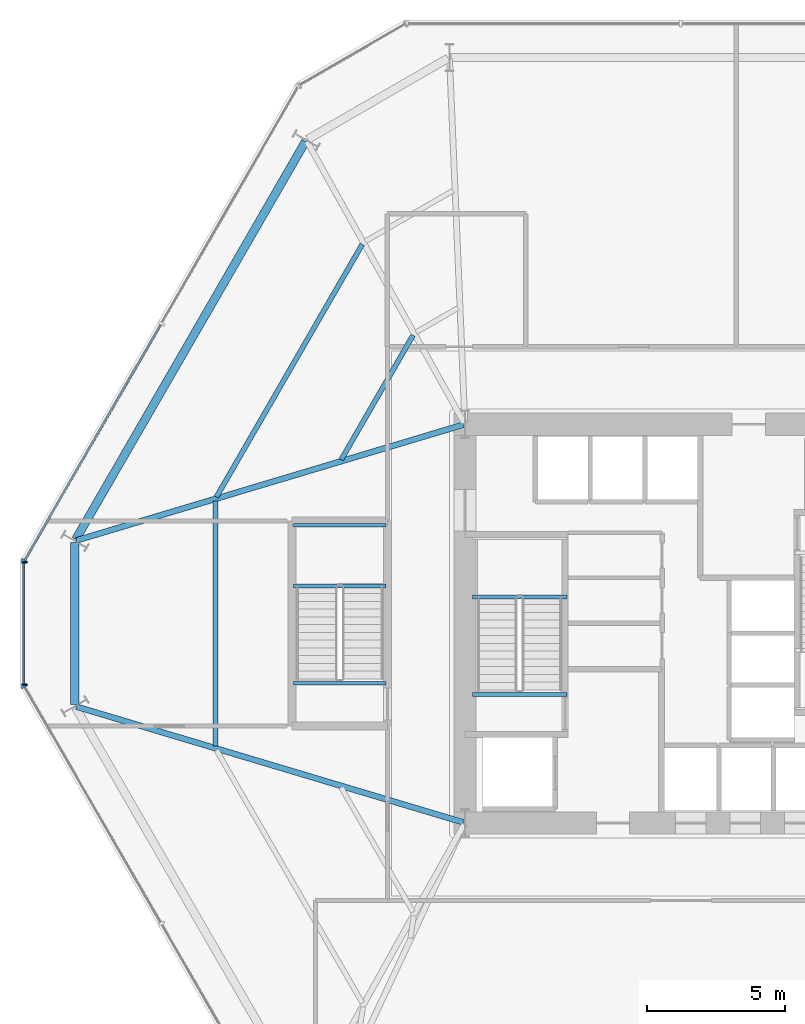
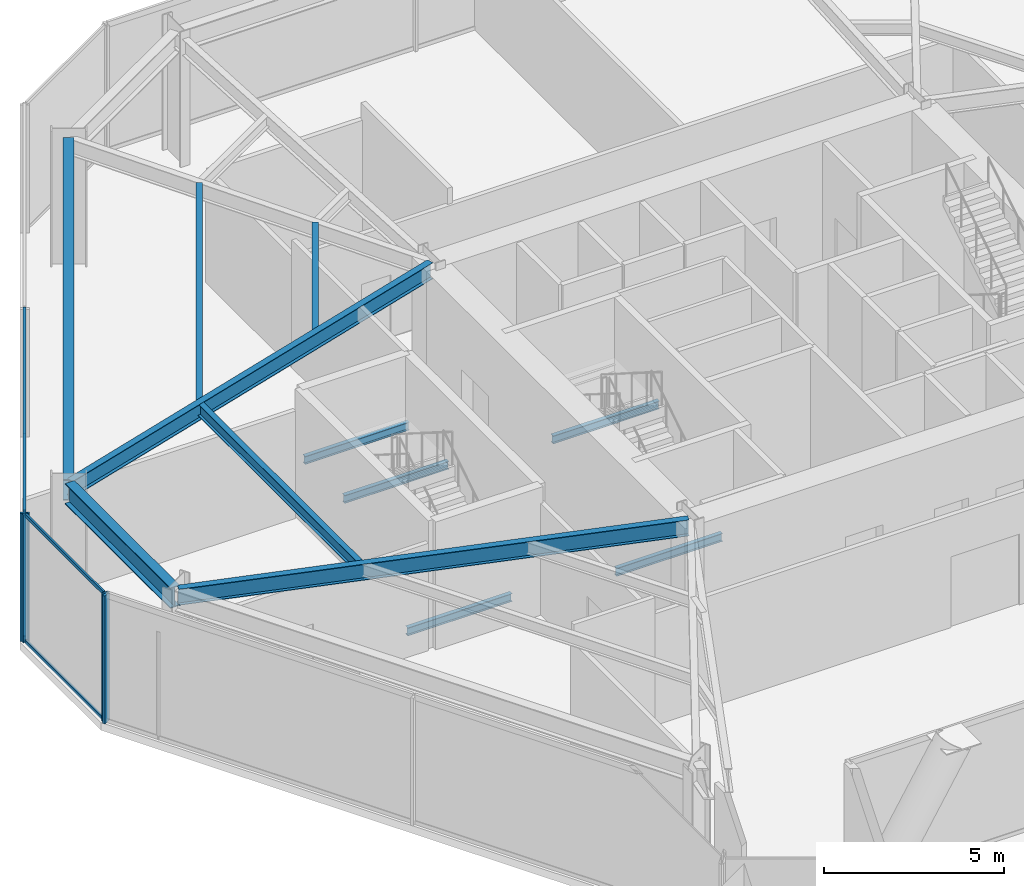
# One storey, part 7 of 23: 12 beams, 8 members, 3 elements without a shape of their own.
"""IFC4 building model written with IfcOpenShell, lengths in metres."""

from ifc_helpers import new_model, si_unit, direction, frame, origin, origin_2d, place, context, subcontext, project, spatial, rectangle, i_section, extrude, material, layer, layer_set, material_profile, profile_set, type_object, element, aggregate, save


model = new_model("IFC4")

# Units and contexts
model_context = context("Model", 3, precision=1e-05, world=origin(), true_north=direction((0.0, 1.0)))
body_context = subcontext(model_context, "Body", "Model", "MODEL_VIEW")
ifc_project = project(units=[si_unit("LENGTHUNIT", "METRE"), si_unit("AREAUNIT", "SQUARE_METRE"), si_unit("VOLUMEUNIT", "CUBIC_METRE"), si_unit("PLANEANGLEUNIT", "RADIAN"), si_unit("MASSUNIT", "GRAM", prefix="KILO")], contexts=[model_context])

# Site, building, storey
site_placement = place(None, origin())
site = spatial("IfcSite", under=ifc_project, at=site_placement, CompositionType="ELEMENT")
building_placement = place(site_placement, origin())
building = spatial("IfcBuilding", under=site, at=building_placement, Name="Kranzbogen Civic Tower", CompositionType="ELEMENT")
storey_placement = place(building_placement, frame((0.0, 0.0, 9.800048828125)))
storey = spatial("IfcBuildingStorey", under=building, at=storey_placement, Name="L02", CompositionType="ELEMENT", Elevation=9.800048828125)

# Curtain wall, members
ifc_material_1 = material(Name="Pale Anodised Aluminium", Category="aluminium")
ifc_layer_1 = layer(ifc_material_1, 0.219970703125, Name="Pale Anodised Aluminium")
ifc_layer_set_1 = layer_set([ifc_layer_1], Name="Pale Anodised Aluminium")
curtain_wall_type_1 = type_object("IfcCurtainWallType", Name="Chamfer Facet Stick Curtain Wall System CW-06", PredefinedType="USERDEFINED", material=ifc_layer_set_1)
curtain_wall_1_placement = place(storey_placement, origin())
curtain_wall_1 = element("IfcCurtainWall", 1, at=curtain_wall_1_placement, inside=storey, type_object=curtain_wall_type_1, Name="L02 curtain wall CW-L02-C3", ObjectType="STICK CURTAIN WALL", PredefinedType="USERDEFINED")
ifc_material_profile_1 = material_profile(ifc_material_1, rectangle(XDim=0.06005859375, YDim=0.159912109375, at=origin_2d()), Name="ALU-M 60x160")
ifc_profile_set_1 = profile_set([ifc_material_profile_1], Name="Pale Anodised Aluminium")
member_type_1 = type_object("IfcMemberType", Name="Curtain Wall Mullion ALU-M 60x160", PredefinedType="MULLION", material=ifc_profile_set_1)
member_1_placement = place(storey_placement, frame((1.26611328125, 27.20703125, 0.0), z_axis=(0.0, 0.0, 1.0), x_axis=(0.0, -1.0, 0.0)))
member_1 = element("IfcMember", 2, at=member_1_placement, type_object=member_type_1, Name="CW-06 mullion 1", PredefinedType="MULLION", context=body_context, shape_type="SweptSolid", body=[
    extrude(rectangle(XDim=0.06005859375, YDim=0.159912109375, at=origin_2d()), origin(), (0.0, 0.0, 1.0), 4.33984375),
])
member_2_placement = place(storey_placement, frame((1.26611328125, 22.79296875, 0.0), z_axis=(0.0, 0.0, 1.0), x_axis=(0.0, -1.0, 0.0)))
member_2 = element("IfcMember", 3, at=member_2_placement, type_object=member_type_1, Name="CW-06 mullion 2", PredefinedType="MULLION", context=body_context, shape_type="SweptSolid", body=[
    extrude(rectangle(XDim=0.06005859375, YDim=0.159912109375, at=origin_2d()), origin(), (0.0, 0.0, 1.0), 4.33984375),
])

# Curtain wall, member
ifc_layer_2 = layer(ifc_material_1, 0.219970703125, Name="Pale Anodised Aluminium")
ifc_layer_set_2 = layer_set([ifc_layer_2], Name="Pale Anodised Aluminium")
curtain_wall_type_2 = type_object("IfcCurtainWallType", Name="Podium Stick Curtain Wall System CW-01", PredefinedType="USERDEFINED", material=ifc_layer_set_2)
curtain_wall_2_placement = place(storey_placement, origin())
curtain_wall_2 = element("IfcCurtainWall", 4, at=curtain_wall_2_placement, inside=storey, type_object=curtain_wall_type_2, Name="L02 curtain wall CW-L02-F3", ObjectType="STICK CURTAIN WALL", PredefinedType="USERDEFINED")
ifc_material_profile_2 = material_profile(ifc_material_1, rectangle(XDim=0.0849609375, YDim=0.260009765625, at=origin_2d()), Name="ALU-M 85x260")
ifc_profile_set_2 = profile_set([ifc_material_profile_2], Name="Pale Anodised Aluminium")
member_type_2 = type_object("IfcMemberType", Name="Curtain Wall Mullion ALU-M 85x260", PredefinedType="MULLION", material=ifc_profile_set_2)
member_3_placement = place(storey_placement, frame((1.281005859375, 27.262939453125, 0.0), z_axis=(0.0, 0.0, 1.0), x_axis=(-0.500005767433, -0.86602207393, 0.0)))
member_3 = element("IfcMember", 5, at=member_3_placement, type_object=member_type_2, Name="CW-01 mullion 3", PredefinedType="MULLION", context=body_context, shape_type="SweptSolid", body=[
    extrude(rectangle(XDim=0.0849609375, YDim=0.260009765625, at=origin_2d()), origin(), (0.0, 0.0, 1.0), 4.33984375),
])

curtain_wall_3_placement = place(storey_placement, origin())
curtain_wall_3 = element("IfcCurtainWall", 6, at=curtain_wall_3_placement, inside=storey, type_object=curtain_wall_type_2, Name="L02 curtain wall CW-L02-F4", ObjectType="STICK CURTAIN WALL", PredefinedType="USERDEFINED")
member_4_placement = place(storey_placement, frame((1.281005859375, 22.737060546875, 0.0), z_axis=(0.0, 0.0, 1.0), x_axis=(0.500005767433, -0.86602207393, 0.0)))
member_4 = element("IfcMember", 7, at=member_4_placement, type_object=member_type_2, Name="CW-01 mullion 1", PredefinedType="MULLION", context=body_context, shape_type="SweptSolid", body=[
    extrude(rectangle(XDim=0.0849609375, YDim=0.260009765625, at=origin_2d()), origin(), (0.0, 0.0, 1.0), 4.33984375),
])
aggregate(curtain_wall_3, [member_4])

# Member
ifc_material_profile_3 = material_profile(ifc_material_1, rectangle(XDim=0.06005859375, YDim=0.1201171875, at=origin_2d()), Name="ALU-T 60x120")
ifc_profile_set_3 = profile_set([ifc_material_profile_3], Name="Pale Anodised Aluminium")
member_type_3 = type_object("IfcMemberType", Name="Curtain Wall Transom ALU-T 60x120", PredefinedType="USERDEFINED", material=ifc_profile_set_3)
member_5_placement = place(storey_placement, frame((1.26611328125, 27.177001953125, 0.030029296875), z_axis=(0.0, -1.0, 0.0), x_axis=(1.0, 0.0, 0.0)))
member_5 = element("IfcMember", 8, at=member_5_placement, type_object=member_type_3, Name="CW-06 transom 1.1", ObjectType="TRANSOM", PredefinedType="USERDEFINED", context=body_context, shape_type="SweptSolid", body=[
    extrude(rectangle(XDim=0.06005859375, YDim=0.1201171875, at=origin_2d()), origin(), (0.0, 0.0, 1.0), 4.35400390625),
])

member_6_placement = place(storey_placement, frame((1.26611328125, 27.177001953125, 4.31005859375), z_axis=(0.0, -1.0, 0.0), x_axis=(1.0, 0.0, 0.0)))
member_6 = element("IfcMember", 9, at=member_6_placement, type_object=member_type_3, Name="CW-06 transom 1.2", ObjectType="TRANSOM", PredefinedType="USERDEFINED", context=body_context, shape_type="SweptSolid", body=[
    extrude(rectangle(XDim=0.06005859375, YDim=0.1201171875, at=origin_2d()), origin(), (0.0, 0.0, 1.0), 4.35400390625),
])

aggregate(curtain_wall_1, [member_1, member_2, member_5, member_6])

ifc_material_profile_4 = material_profile(ifc_material_1, rectangle(XDim=0.0849609375, YDim=0.195068359375, at=origin_2d()), Name="ALU-T 85x195")
ifc_profile_set_4 = profile_set([ifc_material_profile_4], Name="Pale Anodised Aluminium")
member_type_4 = type_object("IfcMemberType", Name="Curtain Wall Transom ALU-T 85x195", PredefinedType="USERDEFINED", material=ifc_profile_set_4)
member_7_placement = place(storey_placement, frame((6.216064453125, 35.810546875, 0.030029296875), z_axis=(-0.500021701106, -0.866012874282, 0.0), x_axis=(0.866012874282, -0.500021701106, 0.0)))
member_7 = element("IfcMember", 10, at=member_7_placement, type_object=member_type_4, Name="CW-01 transom 2.1", ObjectType="TRANSOM", PredefinedType="USERDEFINED", context=body_context, shape_type="SweptSolid", body=[
    extrude(rectangle(XDim=0.0849609375, YDim=0.195068359375, at=origin_2d()), origin(), (0.0, 0.0, 1.0), 9.83984375),
])

member_8_placement = place(storey_placement, frame((6.216064453125, 35.810546875, 4.31005859375), z_axis=(-0.500021701106, -0.866012874282, 0.0), x_axis=(0.866012874282, -0.500021701106, 0.0)))
member_8 = element("IfcMember", 11, at=member_8_placement, type_object=member_type_4, Name="CW-01 transom 2.2", ObjectType="TRANSOM", PredefinedType="USERDEFINED", context=body_context, shape_type="SweptSolid", body=[
    extrude(rectangle(XDim=0.0849609375, YDim=0.195068359375, at=origin_2d()), origin(), (0.0, 0.0, 1.0), 9.83984375),
])

aggregate(curtain_wall_2, [member_3, member_7, member_8])

# Beams
ifc_material_2 = material(Name="Steel S355", Category="steel")
ifc_material_profile_5 = material_profile(ifc_material_2, i_section(OverallWidth=0.300048828125, OverallDepth=0.699951171875, WebThickness=0.01708984375, FlangeThickness=0.031982421875, at=origin_2d()), Name="HEB 700")
ifc_profile_set_5 = profile_set([ifc_material_profile_5], Name="Steel S355")
beam_type_1 = type_object("IfcBeamType", Name="Perimeter Tube Spandrel Beam HEB 700", PredefinedType="SPANDREL", material=ifc_profile_set_5)
beam_1_placement = place(storey_placement, frame((11.43896484375, 42.412109375, 3.989990234375), z_axis=(-0.500010210561, -0.866019508634, 0.0), x_axis=(0.866019508634, -0.500010210561, 0.0)))
element("IfcBeam", 12, at=beam_1_placement, inside=storey, type_object=beam_type_1, Name="L02 perimeter spandrel beam 11", PredefinedType="SPANDREL", context=body_context, shape_type="SweptSolid", body=[
    extrude(i_section(OverallWidth=0.300048828125, OverallDepth=0.699951171875, WebThickness=0.01708984375, FlangeThickness=0.031982421875, at=origin_2d()), origin(), (0.0, 0.0, 1.0), 16.597900390625),
])
beam_2_placement = place(storey_placement, frame((3.110107421875, 27.926025390625, 3.989990234375), z_axis=(0.0, -1.0, 0.0), x_axis=(1.0, 0.0, 0.0)))
element("IfcBeam", 13, at=beam_2_placement, inside=storey, type_object=beam_type_1, Name="L02 perimeter spandrel beam 12", PredefinedType="SPANDREL", context=body_context, shape_type="SweptSolid", body=[
    extrude(i_section(OverallWidth=0.300048828125, OverallDepth=0.699951171875, WebThickness=0.01708984375, FlangeThickness=0.031982421875, at=origin_2d()), origin(), (0.0, 0.0, 1.0), 5.85205078125),
])
ifc_material_profile_6 = material_profile(ifc_material_2, i_section(OverallWidth=0.2099609375, OverallDepth=0.550048828125, WebThickness=0.010986328125, FlangeThickness=0.01708984375, at=origin_2d()), Name="IPE 550")
ifc_profile_set_6 = profile_set([ifc_material_profile_6], Name="Steel S355")
beam_type_2 = type_object("IfcBeamType", Name="Radial Tower Floor Girder IPE 550", PredefinedType="BEAM", material=ifc_profile_set_6)
for number, where, z_axis, x_axis, name in (
    (14, (3.1669921875, 21.9970703125, 4.06494140625), (0.958064557048, -0.286552446385, 0.0), (0.286552446385, 0.958064557048, 0.0), "L02 radial floor girder 01"),
    (15, (3.1669921875, 28.0029296875, 4.06494140625), (0.958064557048, 0.286552446385, 0.0), (-0.286552446385, 0.958064557048, 0.0), "L02 radial floor girder 12"),
):
    element("IfcBeam", number, at=place(storey_placement, frame(where, z_axis=z_axis, x_axis=x_axis)), inside=storey, type_object=beam_type_2, Name=name, PredefinedType="BEAM", context=body_context, shape_type="SweptSolid", body=[
        extrude(i_section(OverallWidth=0.2099609375, OverallDepth=0.550048828125, WebThickness=0.010986328125, FlangeThickness=0.01708984375, at=origin_2d()), origin(), (0.0, 0.0, 1.0), 14.587890625),
    ])
ifc_material_profile_7 = material_profile(ifc_material_2, i_section(OverallWidth=0.179931640625, OverallDepth=0.39990234375, WebThickness=0.008544921875, FlangeThickness=0.013427734375, at=origin_2d()), Name="IPE 400")
ifc_profile_set_7 = profile_set([ifc_material_profile_7], Name="Steel S355")
beam_type_3 = type_object("IfcBeamType", Name="Secondary Composite Floor Joist IPE 400", PredefinedType="JOIST", material=ifc_profile_set_7)
beam_3_placement = place(storey_placement, frame((13.491943359375, 38.699951171875, 4.139892578125), z_axis=(-0.500000488781, -0.866025121586, 0.0), x_axis=(0.866025121586, -0.500000488781, 0.0)))
element("IfcBeam", 16, at=beam_3_placement, inside=storey, type_object=beam_type_3, Name="L02 secondary floor joist 1.11", PredefinedType="JOIST", context=body_context, shape_type="SweptSolid", body=[
    extrude(i_section(OverallWidth=0.179931640625, OverallDepth=0.39990234375, WebThickness=0.008544921875, FlangeThickness=0.013427734375, at=origin_2d()), origin(), (0.0, 0.0, 1.0), 10.5400390625),
])
beam_4_placement = place(storey_placement, frame((15.325927734375, 35.4150390625, 4.139892578125), z_axis=(-0.500040090343, -0.866002256377, 0.0), x_axis=(0.866002256377, -0.500040090343, 0.0)))
element("IfcBeam", 17, at=beam_4_placement, inside=storey, type_object=beam_type_3, Name="L02 secondary floor joist 2.11", PredefinedType="JOIST", context=body_context, shape_type="SweptSolid", body=[
    extrude(i_section(OverallWidth=0.179931640625, OverallDepth=0.39990234375, WebThickness=0.008544921875, FlangeThickness=0.013427734375, at=origin_2d()), origin(), (0.0, 0.0, 1.0), 5.189453125),
])
beam_5_placement = place(storey_placement, frame((8.181884765625, 29.423095703125, 4.139892578125), z_axis=(0.0, -1.0, 0.0), x_axis=(1.0, 0.0, 0.0)))
element("IfcBeam", 18, at=beam_5_placement, inside=storey, type_object=beam_type_3, Name="L02 secondary floor joist 1.12", PredefinedType="JOIST", context=body_context, shape_type="SweptSolid", body=[
    extrude(i_section(OverallWidth=0.179931640625, OverallDepth=0.39990234375, WebThickness=0.008544921875, FlangeThickness=0.013427734375, at=origin_2d()), origin(), (0.0, 0.0, 1.0), 8.84619140625),
])
ifc_material_profile_8 = material_profile(ifc_material_2, i_section(OverallWidth=0.135009765625, OverallDepth=0.27001953125, WebThickness=0.006591796875, FlangeThickness=0.01025390625, at=origin_2d()), Name="IPE 270")
ifc_profile_set_8 = profile_set([ifc_material_profile_8], Name="Steel S355")
beam_type_4 = type_object("IfcBeamType", Name="Stair Landing Support Beam IPE 270", PredefinedType="JOIST", material=ifc_profile_set_8)
for number, where, z_axis, x_axis, name in (
    (19, (20.8798828125, 22.43994140625, -0.39501953125), (-1.0, 0.0, 0.0), (0.0, -1.0, 0.0), "L02 ST-T1 stair floor header beam"),
    (20, (20.8798828125, 25.9599609375, 1.96484375), (-1.0, 0.0, 0.0), (0.0, -1.0, 0.0), "L02 ST-T1 landing support beam 1.1"),
):
    element("IfcBeam", number, at=place(storey_placement, frame(where, z_axis=z_axis, x_axis=x_axis)), inside=storey, type_object=beam_type_4, Name=name, PredefinedType="JOIST", context=body_context, shape_type="SweptSolid", body=[
        extrude(i_section(OverallWidth=0.135009765625, OverallDepth=0.27001953125, WebThickness=0.006591796875, FlangeThickness=0.01025390625, at=origin_2d()), origin(), (0.0, 0.0, 1.0), 3.409912109375),
    ])
for number, where, z_axis, x_axis, name in (
    (21, (14.35009765625, 22.840087890625, -0.39501953125), (-1.0, 0.0, 0.0), (0.0, -1.0, 0.0), "L02 ST-P1 stair floor header beam"),
    (22, (14.35009765625, 26.360107421875, 1.96484375), (-1.0, 0.0, 0.0), (0.0, -1.0, 0.0), "L02 ST-P1 landing support beam 1.1"),
    (23, (14.35009765625, 28.550048828125, 1.96484375), (-1.0, 0.0, 0.0), (0.0, -1.0, 0.0), "L02 ST-P1 landing support beam 1.2"),
):
    element("IfcBeam", number, at=place(storey_placement, frame(where, z_axis=z_axis, x_axis=x_axis)), inside=storey, type_object=beam_type_4, Name=name, PredefinedType="JOIST", context=body_context, shape_type="SweptSolid", body=[
        extrude(i_section(OverallWidth=0.135009765625, OverallDepth=0.27001953125, WebThickness=0.006591796875, FlangeThickness=0.01025390625, at=origin_2d()), origin(), (0.0, 0.0, 1.0), 3.35009765625),
    ])

save(model, "model.ifc")
